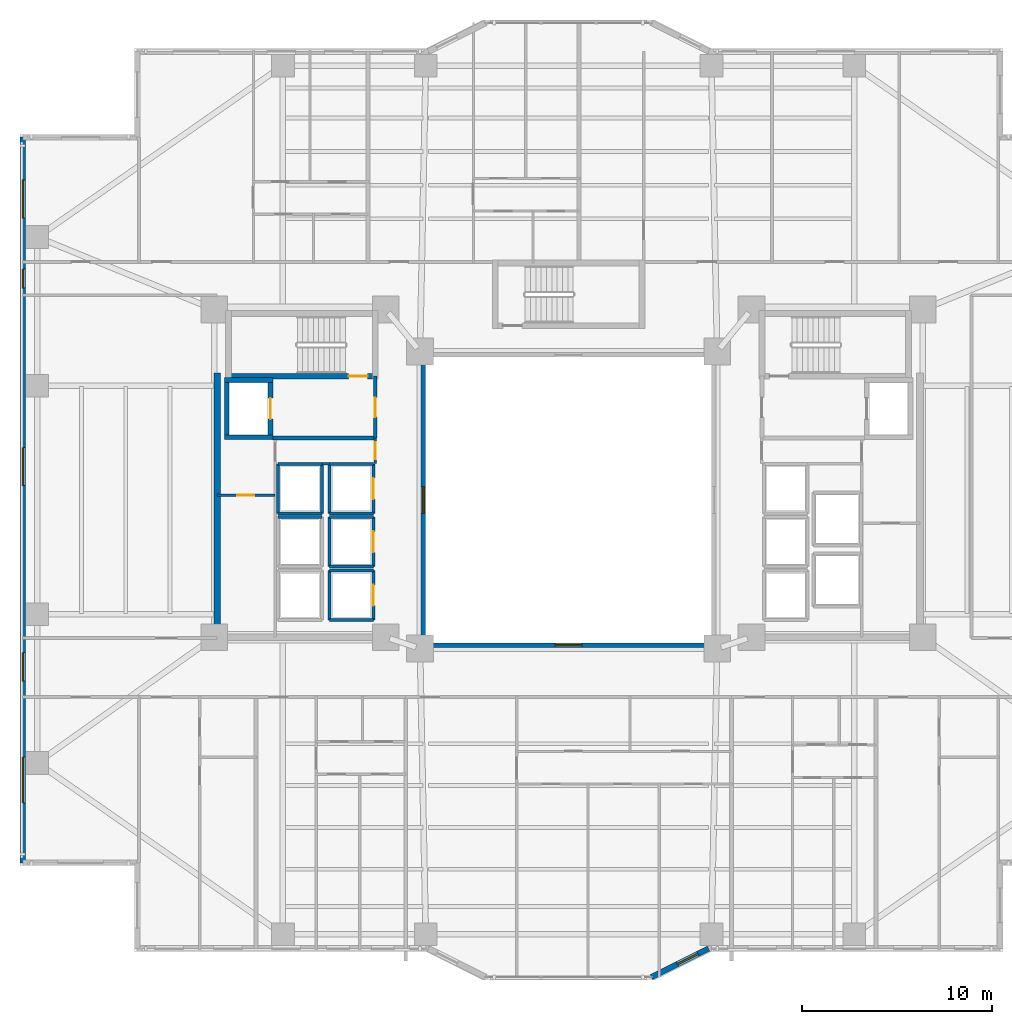
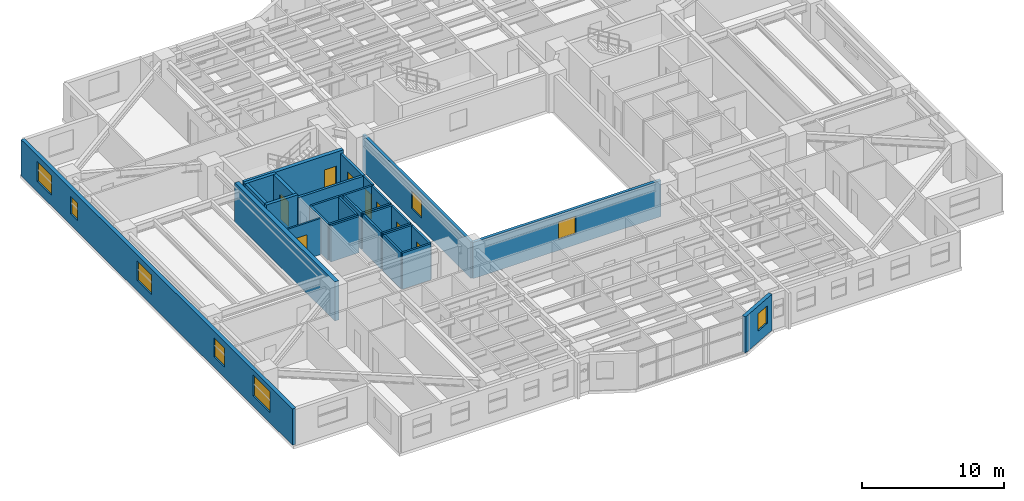
# One storey, part 11 of 21: 32 walls, 8 doors, 8 windows, 16 openings.
"""IFC4 building model written with IfcOpenShell, lengths in metres."""

from ifc_helpers import new_model, si_unit, direction, frame, frame_2d, origin, place, context, subcontext, project, spatial, rectangle, extrude, material, layer, layer_set, type_object, element, fill, save


model = new_model("IFC4")

# Units and contexts
model_context = context("Model", 3, precision=1e-05, world=origin(), true_north=direction((0.0, 1.0)))
body_context = subcontext(model_context, "Body", "Model", "MODEL_VIEW")
ifc_project = project(units=[si_unit("LENGTHUNIT", "METRE"), si_unit("AREAUNIT", "SQUARE_METRE"), si_unit("VOLUMEUNIT", "CUBIC_METRE"), si_unit("PLANEANGLEUNIT", "RADIAN"), si_unit("MASSUNIT", "GRAM", prefix="KILO")], contexts=[model_context])

# Site, building, storey
site_placement = place(None, origin())
site = spatial("IfcSite", under=ifc_project, at=site_placement, CompositionType="ELEMENT")
building_placement = place(site_placement, origin())
building = spatial("IfcBuilding", under=site, at=building_placement, Name="Tarnavaz Court Tower", CompositionType="ELEMENT")
storey_placement = place(building_placement, frame((0.0, 0.0, 37.39990234375)))
storey = spatial("IfcBuildingStorey", under=building, at=storey_placement, Name="L09", CompositionType="ELEMENT", Elevation=37.39990234375)

# Wall
ifc_material_1 = material(Name="Concrete C60/75", Category="concrete")
ifc_layer_1 = layer(ifc_material_1, 0.25)
ifc_layer_set_1 = layer_set([ifc_layer_1], Name="Concrete C60/75")
wall_type_1 = type_object("IfcWallType", Name="WL-CORE-250-C60", PredefinedType="SHEAR", material=ifc_layer_set_1)
wall_1_placement = place(storey_placement, frame((-17.949951171875, 3.175048828125, 0.0), z_axis=(0.0, 0.0, 1.0), x_axis=(0.0, 1.0, 0.0)))
element("IfcWall", 1, at=wall_1_placement, inside=storey, type_object=wall_type_1, Name="L09 Lift FL-W1 Shaft Wall 017", PredefinedType="SHEAR", context=body_context, shape_type="SweptSolid", body=[
    extrude(rectangle(XDim=3.25, YDim=0.25, at=frame_2d((1.625, 0.0))), origin(), (0.0, 0.0, 1.0), 3.35009765625),
])

# Wall, opening, door
wall_2_placement = place(storey_placement, frame((-15.64990234375, 3.175048828125, 0.0), z_axis=(0.0, 0.0, 1.0), x_axis=(0.0, 1.0, 0.0)))
wall_2 = element("IfcWall", 2, at=wall_2_placement, inside=storey, type_object=wall_type_1, Name="L09 Lift FL-W1 Shaft Wall 018", PredefinedType="SHEAR", context=body_context, shape_type="SweptSolid", body=[
    extrude(rectangle(XDim=3.25, YDim=0.25, at=frame_2d((1.625, 0.0))), origin(), (0.0, 0.0, 1.0), 3.35009765625),
])
opening_1_placement = place(wall_2_placement, frame((1.074951171875, 0.0, 0.0)))
opening_1 = element("IfcOpeningElement", 3, at=opening_1_placement, cuts=wall_2, Name="Opening LD1", PredefinedType="OPENING", context=body_context, shape_type="SweptSolid", body=[
    extrude(rectangle(XDim=1.10009765625, YDim=2.14990234375, at=frame_2d((0.550048828125, 1.074951171875))), frame((0.0, 0.135009765625, 0.0), z_axis=(0.0, -1.0, 0.0), x_axis=(1.0, 0.0, 0.0)), (0.0, 0.0, 1.0), 0.27001953125),
])
ifc_material_2 = material(Name="Stainless Steel", Category="steel")
door_type_1 = type_object("IfcDoorType", Name="DR-LD-1100", OperationType="NOTDEFINED", PredefinedType="DOOR", material=ifc_material_2)
door_1_placement = place(opening_1_placement, origin())
door_1 = element("IfcDoor", 4, at=door_1_placement, inside=storey, type_object=door_type_1, Name="L09 Lift Landing Door LD-FL-W1", OperationType="SLIDING_TO_LEFT", OverallHeight=2.14990234375, OverallWidth=1.10009765625, PredefinedType="DOOR", context=body_context, shape_type="SweptSolid", body=[
    extrude(rectangle(XDim=1.10009765625, YDim=2.14990234375, at=frame_2d((0.550048828125, 1.074951171875))), frame((0.0, 0.02490234375, 0.0), z_axis=(0.0, -1.0, 0.0), x_axis=(1.0, 0.0, 0.0)), (0.0, 0.0, 1.0), 0.050048828125),
])
fill(opening_1, door_1)

# Walls
for number, where, z_axis, x_axis, name in (
    (5, (-18.074951171875, 3.300048828125, 0.0), (0.0, 0.0, 1.0), (1.0, 0.0, 0.0), "L09 Lift FL-W1 Shaft Wall 019"),
    (6, (-18.074951171875, 6.300048828125, 0.0), (0.0, 0.0, 1.0), (1.0, 0.0, 0.0), "L09 Lift FL-W1 Shaft Wall 020"),
):
    element("IfcWall", number, at=place(storey_placement, frame(where, z_axis=z_axis, x_axis=x_axis)), inside=storey, type_object=wall_type_1, Name=name, PredefinedType="SHEAR", context=body_context, shape_type="SweptSolid", body=[
        extrude(rectangle(XDim=2.550048828125, YDim=0.25, at=frame_2d((1.27490234375, 0.0))), origin(), (0.0, 0.0, 1.0), 3.35009765625),
    ])

# Wall, opening, door
ifc_layer_2 = layer(ifc_material_1, 0.300048828125)
ifc_layer_set_2 = layer_set([ifc_layer_2], Name="Concrete C60/75")
wall_type_2 = type_object("IfcWallType", Name="WL-CORE-300-C60", PredefinedType="SHEAR", material=ifc_layer_set_2)
wall_3_placement = place(storey_placement, frame((-18.0, 6.5, 0.0), z_axis=(0.0, 0.0, 1.0), x_axis=(1.0, 0.0, 0.0)))
wall_3 = element("IfcWall", 7, at=wall_3_placement, inside=storey, type_object=wall_type_2, Name="L09 West Stair Core Wall 002", PredefinedType="SHEAR", context=body_context, shape_type="SweptSolid", body=[
    extrude(rectangle(XDim=8.0, YDim=0.300048828125, at=frame_2d((4.0, 0.0))), origin(), (0.0, 0.0, 1.0), 3.35009765625),
])
opening_2_placement = place(wall_3_placement, frame((6.449951171875, 0.0, 0.0)))
opening_2 = element("IfcOpeningElement", 8, at=opening_2_placement, cuts=wall_3, Name="Opening D01", PredefinedType="OPENING", context=body_context, shape_type="SweptSolid", body=[
    extrude(rectangle(XDim=1.0, YDim=2.14990234375, at=frame_2d((0.5, 1.074951171875))), frame((0.0, 0.159912109375, 0.0), z_axis=(0.0, -1.0, 0.0), x_axis=(1.0, 0.0, 0.0)), (0.0, 0.0, 1.0), 0.320068359375),
])
ifc_material_3 = material(Name="Fire-Rated Hardwood Timber Core", Category="wood")
door_type_2 = type_object("IfcDoorType", Name="DR-FD90-1000", OperationType="NOTDEFINED", PredefinedType="DOOR", material=ifc_material_3)
door_2_placement = place(opening_2_placement, origin())
door_2 = element("IfcDoor", 9, at=door_2_placement, inside=storey, type_object=door_type_2, Name="L09 Stair ST-W1 Exit Door", OperationType="SINGLE_SWING_LEFT", OverallHeight=2.14990234375, OverallWidth=1.0, PredefinedType="DOOR", context=body_context, shape_type="SweptSolid", body=[
    extrude(rectangle(XDim=1.0, YDim=2.14990234375, at=frame_2d((0.5, 1.074951171875))), frame((0.0, 0.02490234375, 0.0), z_axis=(0.0, -1.0, 0.0), x_axis=(1.0, 0.0, 0.0)), (0.0, 0.0, 1.0), 0.050048828125),
])
fill(opening_2, door_2)

# Wall
ifc_layer_3 = layer(ifc_material_1, 0.35009765625)
ifc_layer_set_3 = layer_set([ifc_layer_3], Name="Concrete C60/75")
wall_type_3 = type_object("IfcWallType", Name="WL-CORE-350-C60", PredefinedType="SHEAR", material=ifc_layer_set_3)
wall_4_placement = place(storey_placement, frame((-18.449951171875, -7.375, 0.0), z_axis=(0.0, 0.0, 1.0), x_axis=(0.0, 1.0, 0.0)))
element("IfcWall", 10, at=wall_4_placement, inside=storey, type_object=wall_type_3, Name="L09 West Core Shear Wall 069", PredefinedType="SHEAR", context=body_context, shape_type="SweptSolid", body=[
    extrude(rectangle(XDim=14.050048828125, YDim=0.35009765625, at=frame_2d((7.02490234375, 0.0))), origin(), (0.0, 0.0, 1.0), 3.35009765625),
])

# Wall, openings, windows
ifc_material_4 = material(Name="Precast Concrete C40/50", Category="concrete")
ifc_layer_4 = layer(ifc_material_4, 0.300048828125)
ifc_layer_set_4 = layer_set([ifc_layer_4], Name="Precast Concrete C40/50")
wall_type_4 = type_object("IfcWallType", Name="WL-EXT-300", PredefinedType="SOLIDWALL", material=ifc_layer_set_4)
wall_5_placement = place(storey_placement, frame((-28.64990234375, -19.050048828125, 0.0), z_axis=(0.0, 0.0, 1.0), x_axis=(0.0, 1.0, 0.0)))
wall_5 = element("IfcWall", 11, at=wall_5_placement, inside=storey, type_object=wall_type_4, Name="L09 Exterior Terracotta Facade Wall 02", PredefinedType="SOLIDWALL", context=body_context, shape_type="SweptSolid", body=[
    extrude(rectangle(XDim=38.10009765625, YDim=0.300048828125, at=frame_2d((19.050048828125, 0.0))), origin(), (0.0, 0.0, 1.0), 3.10009765625),
])
opening_3_placement = place(wall_5_placement, frame((3.14990234375, 0.0, 0.89990234375)))
opening_3 = element("IfcOpeningElement", 12, at=opening_3_placement, cuts=wall_5, Name="Opening W06", PredefinedType="OPENING", context=body_context, shape_type="SweptSolid", body=[
    extrude(rectangle(XDim=2.39990234375, YDim=1.800048828125, at=frame_2d((1.199951171875, 0.89990234375))), frame((0.0, 0.159912109375, 0.0), z_axis=(0.0, -1.0, 0.0), x_axis=(1.0, 0.0, 0.0)), (0.0, 0.0, 1.0), 0.320068359375),
])
opening_4_placement = place(wall_5_placement, frame((9.54248046875, 0.0, 0.89990234375)))
opening_4 = element("IfcOpeningElement", 13, at=opening_4_placement, cuts=wall_5, Name="Opening W03", PredefinedType="OPENING", context=body_context, shape_type="SweptSolid", body=[
    extrude(rectangle(XDim=1.5, YDim=1.64990234375, at=frame_2d((0.75, 0.824951171875))), frame((0.0, 0.159912109375, 0.0), z_axis=(0.0, -1.0, 0.0), x_axis=(1.0, 0.0, 0.0)), (0.0, 0.0, 1.0), 0.320068359375),
])
opening_5_placement = place(wall_5_placement, frame((19.800048828125, 0.0, 0.89990234375)))
opening_5 = element("IfcOpeningElement", 14, at=opening_5_placement, cuts=wall_5, Name="Opening W08", PredefinedType="OPENING", context=body_context, shape_type="SweptSolid", body=[
    extrude(rectangle(XDim=2.0, YDim=1.699951171875, at=frame_2d((1.0, 0.85009765625))), frame((0.0, 0.159912109375, 0.0), z_axis=(0.0, -1.0, 0.0), x_axis=(1.0, 0.0, 0.0)), (0.0, 0.0, 1.0), 0.320068359375),
])
opening_6_placement = place(wall_5_placement, frame((30.175048828125, 0.0, 0.949951171875)))
opening_6 = element("IfcOpeningElement", 15, at=opening_6_placement, cuts=wall_5, Name="Opening W14", PredefinedType="OPENING", context=body_context, shape_type="SweptSolid", body=[
    extrude(rectangle(XDim=1.0, YDim=1.5, at=frame_2d((0.5, 0.75))), frame((0.0, 0.159912109375, 0.0), z_axis=(0.0, -1.0, 0.0), x_axis=(1.0, 0.0, 0.0)), (0.0, 0.0, 1.0), 0.320068359375),
])
opening_7_placement = place(wall_5_placement, frame((33.85009765625, 0.0, 0.89990234375)))
opening_7 = element("IfcOpeningElement", 16, at=opening_7_placement, cuts=wall_5, Name="Opening W08", PredefinedType="OPENING", context=body_context, shape_type="SweptSolid", body=[
    extrude(rectangle(XDim=2.0, YDim=1.699951171875, at=frame_2d((1.0, 0.85009765625))), frame((0.0, 0.159912109375, 0.0), z_axis=(0.0, -1.0, 0.0), x_axis=(1.0, 0.0, 0.0)), (0.0, 0.0, 1.0), 0.320068359375),
])
ifc_material_5 = material(Name="Double-Glazed Solar Low-E Glass", Category="glass")
window_type_1 = type_object("IfcWindowType", Name="WN-APT-1000", PartitioningType="SINGLE_PANEL", PredefinedType="WINDOW", material=ifc_material_5)
window_1_placement = place(opening_6_placement, origin())
window_1 = element("IfcWindow", 17, at=window_1_placement, inside=storey, type_object=window_type_1, Name="L09 North-West Corner Corridor Window", OverallHeight=1.5, OverallWidth=1.0, PartitioningType="SINGLE_PANEL", PredefinedType="WINDOW", context=body_context, shape_type="SweptSolid", body=[
    extrude(rectangle(XDim=1.0, YDim=1.5, at=frame_2d((0.5, 0.75))), frame((0.0, 0.030029296875, 0.0), z_axis=(0.0, -1.0, 0.0), x_axis=(1.0, 0.0, 0.0)), (0.0, 0.0, 1.0), 0.06005859375),
])
fill(opening_6, window_1)
window_type_2 = type_object("IfcWindowType", Name="WN-APT-1500", PartitioningType="DOUBLE_PANEL_VERTICAL", PredefinedType="WINDOW", material=ifc_material_5)
window_2_placement = place(opening_4_placement, origin())
window_2 = element("IfcWindow", 18, at=window_2_placement, inside=storey, type_object=window_type_2, Name="L09 South-West Corner Corridor Window", OverallHeight=1.64990234375, OverallWidth=1.5, PartitioningType="SINGLE_PANEL", PredefinedType="WINDOW", context=body_context, shape_type="SweptSolid", body=[
    extrude(rectangle(XDim=1.5, YDim=1.64990234375, at=frame_2d((0.75, 0.824951171875))), frame((0.0, 0.030029296875, 0.0), z_axis=(0.0, -1.0, 0.0), x_axis=(1.0, 0.0, 0.0)), (0.0, 0.0, 1.0), 0.06005859375),
])
fill(opening_4, window_2)
window_type_3 = type_object("IfcWindowType", Name="WN-APT-2000", PartitioningType="DOUBLE_PANEL_VERTICAL", PredefinedType="WINDOW", material=ifc_material_5)
window_3_placement = place(opening_5_placement, origin())
window_3 = element("IfcWindow", 19, at=window_3_placement, inside=storey, type_object=window_type_3, Name="L09 West Wing Community Meeting Lounge Window", OverallHeight=1.699951171875, OverallWidth=2.0, PartitioningType="SINGLE_PANEL", PredefinedType="WINDOW", context=body_context, shape_type="SweptSolid", body=[
    extrude(rectangle(XDim=2.0, YDim=1.699951171875, at=frame_2d((1.0, 0.85009765625))), frame((0.0, 0.030029296875, 0.0), z_axis=(0.0, -1.0, 0.0), x_axis=(1.0, 0.0, 0.0)), (0.0, 0.0, 1.0), 0.06005859375),
])
fill(opening_5, window_3)
window_4_placement = place(opening_7_placement, origin())
window_4 = element("IfcWindow", 20, at=window_4_placement, inside=storey, type_object=window_type_3, Name="L09 North-West Corner Sunroom Study Window", OverallHeight=1.699951171875, OverallWidth=2.0, PartitioningType="SINGLE_PANEL", PredefinedType="WINDOW", context=body_context, shape_type="SweptSolid", body=[
    extrude(rectangle(XDim=2.0, YDim=1.699951171875, at=frame_2d((1.0, 0.85009765625))), frame((0.0, 0.030029296875, 0.0), z_axis=(0.0, -1.0, 0.0), x_axis=(1.0, 0.0, 0.0)), (0.0, 0.0, 1.0), 0.06005859375),
])
fill(opening_7, window_4)
window_type_4 = type_object("IfcWindowType", Name="WN-APT-2400", PartitioningType="TRIPLE_PANEL_VERTICAL", PredefinedType="WINDOW", material=ifc_material_5)
window_5_placement = place(opening_3_placement, origin())
window_5 = element("IfcWindow", 21, at=window_5_placement, inside=storey, type_object=window_type_4, Name="L09 South-West Corner Reading Room Window", OverallHeight=1.800048828125, OverallWidth=2.39990234375, PartitioningType="SINGLE_PANEL", PredefinedType="WINDOW", context=body_context, shape_type="SweptSolid", body=[
    extrude(rectangle(XDim=2.39990234375, YDim=1.800048828125, at=frame_2d((1.199951171875, 0.89990234375))), frame((0.0, 0.030029296875, 0.0), z_axis=(0.0, -1.0, 0.0), x_axis=(1.0, 0.0, 0.0)), (0.0, 0.0, 1.0), 0.06005859375),
])
fill(opening_3, window_5)

# Wall, opening, window
wall_6_placement = place(storey_placement, frame((7.35009765625, -23.550048828125, 0.0), z_axis=(0.0, 0.0, 1.0), x_axis=(-0.894427191, -0.4472135955, 0.0)))
wall_6 = element("IfcWall", 22, at=wall_6_placement, inside=storey, type_object=wall_type_4, Name="L09 Exterior Terracotta Facade Wall 16", PredefinedType="SOLIDWALL", context=body_context, shape_type="SweptSolid", body=[
    extrude(rectangle(XDim=3.35400390625, YDim=0.300048828125, at=frame_2d((1.677001953125, 0.0))), origin(), (0.0, 0.0, 1.0), 3.10009765625),
])
opening_8_placement = place(wall_6_placement, frame((0.62158203125, 0.0, 0.949951171875)))
opening_8 = element("IfcOpeningElement", 23, at=opening_8_placement, cuts=wall_6, Name="Opening W05", PredefinedType="OPENING", context=body_context, shape_type="SweptSolid", body=[
    extrude(rectangle(XDim=1.199951171875, YDim=1.5, at=frame_2d((0.60009765625, 0.75))), frame((0.0, 0.159912109375, 0.0), z_axis=(0.0, -1.0, 0.0), x_axis=(1.0, 0.0, 0.0)), (0.0, 0.0, 1.0), 0.320068359375),
])
window_type_5 = type_object("IfcWindowType", Name="WN-APT-1200", PartitioningType="SINGLE_PANEL", PredefinedType="WINDOW", material=ifc_material_5)
window_6_placement = place(opening_8_placement, origin())
window_6 = element("IfcWindow", 24, at=window_6_placement, inside=storey, type_object=window_type_5, Name="L09 Flat 07 Bedroom 3 Window", OverallHeight=1.5, OverallWidth=1.199951171875, PartitioningType="SINGLE_PANEL", PredefinedType="WINDOW", context=body_context, shape_type="SweptSolid", body=[
    extrude(rectangle(XDim=1.199951171875, YDim=1.5, at=frame_2d((0.60009765625, 0.75))), frame((0.0, 0.030029296875, 0.0), z_axis=(0.0, -1.0, 0.0), x_axis=(1.0, 0.0, 0.0)), (0.0, 0.0, 1.0), 0.06005859375),
])
fill(opening_8, window_6)

# Wall
ifc_material_6 = material(Name="Autoclaved Aerated Concrete Blockwork", Category="masonry")
ifc_layer_5 = layer(ifc_material_6, 0.199951171875)
ifc_layer_set_5 = layer_set([ifc_layer_5], Name="Autoclaved Aerated Concrete Blockwork")
wall_type_5 = type_object("IfcWallType", Name="WL-FIRE-200", PredefinedType="SOLIDWALL", material=ifc_layer_set_5)
wall_7_placement = place(storey_placement, frame((-15.550048828125, 3.25, 0.0), z_axis=(0.0, 0.0, 1.0), x_axis=(1.0, 0.0, 0.0)))
element("IfcWall", 25, at=wall_7_placement, inside=storey, type_object=wall_type_5, Name="L09 West Firefighting Lobby Wall 013", PredefinedType="SOLIDWALL", context=body_context, shape_type="SweptSolid", body=[
    extrude(rectangle(XDim=5.400146484375, YDim=0.199951171875, at=frame_2d((2.7001953125, 0.0))), origin(), (0.0, 0.0, 1.0), 3.10009765625),
])

# Wall, opening, door
wall_8_placement = place(storey_placement, frame((-10.14990234375, 3.25, 0.0), z_axis=(0.0, 0.0, 1.0), x_axis=(0.0, 1.0, 0.0)))
wall_8 = element("IfcWall", 26, at=wall_8_placement, inside=storey, type_object=wall_type_5, Name="L09 West Firefighting Lobby Wall 014", PredefinedType="SOLIDWALL", context=body_context, shape_type="SweptSolid", body=[
    extrude(rectangle(XDim=3.25, YDim=0.199951171875, at=frame_2d((1.625, 0.0))), origin(), (0.0, 0.0, 1.0), 3.10009765625),
])
opening_9_placement = place(wall_8_placement, frame((1.10009765625, 0.0, 0.0)))
opening_9 = element("IfcOpeningElement", 27, at=opening_9_placement, cuts=wall_8, Name="Opening D05", PredefinedType="OPENING", context=body_context, shape_type="SweptSolid", body=[
    extrude(rectangle(XDim=1.02001953125, YDim=2.14990234375, at=frame_2d((0.510009765625, 1.074951171875))), frame((0.0, 0.10986328125, 0.0), z_axis=(0.0, -1.0, 0.0), x_axis=(1.0, 0.0, 0.0)), (0.0, 0.0, 1.0), 0.219970703125),
])
door_type_3 = type_object("IfcDoorType", Name="DR-FD60-1000", OperationType="NOTDEFINED", PredefinedType="DOOR", material=ifc_material_3)
door_3_placement = place(opening_9_placement, origin())
door_3 = element("IfcDoor", 28, at=door_3_placement, inside=storey, type_object=door_type_3, Name="L09 West Firefighting Lobby Door", OperationType="SINGLE_SWING_RIGHT", OverallHeight=2.14990234375, OverallWidth=1.02001953125, PredefinedType="DOOR", context=body_context, shape_type="SweptSolid", body=[
    extrude(rectangle(XDim=1.02001953125, YDim=2.14990234375, at=frame_2d((0.510009765625, 1.074951171875))), frame((0.0, 0.02490234375, 0.0), z_axis=(0.0, -1.0, 0.0), x_axis=(1.0, 0.0, 0.0)), (0.0, 0.0, 1.0), 0.050048828125),
])
fill(opening_9, door_3)

# Wall
ifc_material_7 = material(Name="Gypsum Plasterboard Acoustic Partition", Category="masonry")
ifc_layer_6 = layer(ifc_material_7, 0.139892578125)
ifc_layer_set_6 = layer_set([ifc_layer_6], Name="Gypsum Plasterboard Acoustic Partition")
wall_type_6 = type_object("IfcWallType", Name="WL-PART-150", PredefinedType="PARTITIONING", material=ifc_layer_set_6)
wall_9_placement = place(storey_placement, frame((-12.949951171875, 1.89990234375, 0.0), z_axis=(0.0, 0.0, 1.0), x_axis=(1.0, 0.0, 0.0)))
element("IfcWall", 29, at=wall_9_placement, inside=storey, type_object=wall_type_6, Name="L09 Interior Partition 073", PredefinedType="PARTITIONING", context=body_context, shape_type="SweptSolid", body=[
    extrude(rectangle(XDim=0.39990234375, YDim=0.139892578125, at=frame_2d((0.199951171875, 0.0))), origin(), (0.0, 0.0, 1.0), 3.10009765625),
])

# Wall, opening, door
wall_10_placement = place(storey_placement, frame((-10.14990234375, 1.919921875, 0.0), z_axis=(0.0, 0.0, 1.0), x_axis=(0.0, 1.0, 0.0)))
wall_10 = element("IfcWall", 30, at=wall_10_placement, inside=storey, type_object=wall_type_6, Name="L09 Interior Partition 074", PredefinedType="PARTITIONING", context=body_context, shape_type="SweptSolid", body=[
    extrude(rectangle(XDim=1.330078125, YDim=0.139892578125, at=frame_2d((0.6650390625, 0.0))), origin(), (0.0, 0.0, 1.0), 3.10009765625),
])
opening_10_placement = place(wall_10_placement, frame((0.219970703125, 0.0, 0.0)))
opening_10 = element("IfcOpeningElement", 31, at=opening_10_placement, cuts=wall_10, Name="Opening D09", PredefinedType="OPENING", context=body_context, shape_type="SweptSolid", body=[
    extrude(rectangle(XDim=0.89990234375, YDim=2.080078125, at=frame_2d((0.449951171875, 1.0400390625))), frame((0.0, 0.079833984375, 0.0), z_axis=(0.0, -1.0, 0.0), x_axis=(1.0, 0.0, 0.0)), (0.0, 0.0, 1.0), 0.159912109375),
])
door_type_4 = type_object("IfcDoorType", Name="DR-FD30-900", OperationType="NOTDEFINED", PredefinedType="DOOR", material=ifc_material_3)
door_4_placement = place(opening_10_placement, origin())
door_4 = element("IfcDoor", 32, at=door_4_placement, inside=storey, type_object=door_type_4, Name="L09 West Core Service Lobby Door", OperationType="SINGLE_SWING_LEFT", OverallHeight=2.080078125, OverallWidth=0.89990234375, PredefinedType="DOOR", context=body_context, shape_type="SweptSolid", body=[
    extrude(rectangle(XDim=0.89990234375, YDim=2.080078125, at=frame_2d((0.449951171875, 1.0400390625))), frame((0.0, 0.02490234375, 0.0), z_axis=(0.0, -1.0, 0.0), x_axis=(1.0, 0.0, 0.0)), (0.0, 0.0, 1.0), 0.050048828125),
])
fill(opening_10, door_4)

wall_11_placement = place(storey_placement, frame((-18.449951171875, 0.25, 0.0), z_axis=(0.0, 0.0, 1.0), x_axis=(1.0, 0.0, 0.0)))
wall_11 = element("IfcWall", 33, at=wall_11_placement, inside=storey, type_object=wall_type_6, Name="L09 Interior Partition 076", PredefinedType="PARTITIONING", context=body_context, shape_type="SweptSolid", body=[
    extrude(rectangle(XDim=3.050048828125, YDim=0.139892578125, at=frame_2d((1.52490234375, 0.0))), origin(), (0.0, 0.0, 1.0), 3.10009765625),
])
opening_11_placement = place(wall_11_placement, frame((1.050048828125, 0.0, 0.0)))
opening_11 = element("IfcOpeningElement", 34, at=opening_11_placement, cuts=wall_11, Name="Opening D09", PredefinedType="OPENING", context=body_context, shape_type="SweptSolid", body=[
    extrude(rectangle(XDim=0.89990234375, YDim=2.080078125, at=frame_2d((0.449951171875, 1.0400390625))), frame((0.0, 0.079833984375, 0.0), z_axis=(0.0, -1.0, 0.0), x_axis=(1.0, 0.0, 0.0)), (0.0, 0.0, 1.0), 0.159912109375),
])
door_5_placement = place(opening_11_placement, origin())
door_5 = element("IfcDoor", 35, at=door_5_placement, inside=storey, type_object=door_type_4, Name="L09 West Mechanical Riser Door", OperationType="SINGLE_SWING_LEFT", OverallHeight=2.080078125, OverallWidth=0.89990234375, PredefinedType="DOOR", context=body_context, shape_type="SweptSolid", body=[
    extrude(rectangle(XDim=0.89990234375, YDim=2.080078125, at=frame_2d((0.449951171875, 1.0400390625))), frame((0.0, 0.02490234375, 0.0), z_axis=(0.0, -1.0, 0.0), x_axis=(1.0, 0.0, 0.0)), (0.0, 0.0, 1.0), 0.050048828125),
])
fill(opening_11, door_5)

# Wall
ifc_layer_7 = layer(ifc_material_6, 0.159912109375)
ifc_layer_set_7 = layer_set([ifc_layer_7], Name="Autoclaved Aerated Concrete Blockwork")
wall_type_7 = type_object("IfcWallType", Name="WL-SHAFT-150", PredefinedType="SOLIDWALL", material=ifc_layer_set_7)
wall_12_placement = place(storey_placement, frame((-12.550048828125, -6.300048828125, 0.0), z_axis=(0.0, 0.0, 1.0), x_axis=(0.0, 1.0, 0.0)))
element("IfcWall", 36, at=wall_12_placement, inside=storey, type_object=wall_type_7, Name="L09 Lift PL-L1 Shaft Wall 021", PredefinedType="SOLIDWALL", context=body_context, shape_type="SweptSolid", body=[
    extrude(rectangle(XDim=2.60009765625, YDim=0.159912109375, at=frame_2d((1.300048828125, 0.0))), origin(), (0.0, 0.0, 1.0), 3.10009765625),
])

# Wall, opening, door
wall_13_placement = place(storey_placement, frame((-10.25, -6.300048828125, 0.0), z_axis=(0.0, 0.0, 1.0), x_axis=(0.0, 1.0, 0.0)))
wall_13 = element("IfcWall", 37, at=wall_13_placement, inside=storey, type_object=wall_type_7, Name="L09 Lift PL-L1 Shaft Wall 022", PredefinedType="SOLIDWALL", context=body_context, shape_type="SweptSolid", body=[
    extrude(rectangle(XDim=2.60009765625, YDim=0.159912109375, at=frame_2d((1.300048828125, 0.0))), origin(), (0.0, 0.0, 1.0), 3.10009765625),
])
opening_12_placement = place(wall_13_placement, frame((0.75, 0.0, 0.0)))
opening_12 = element("IfcOpeningElement", 38, at=opening_12_placement, cuts=wall_13, Name="Opening LD1", PredefinedType="OPENING", context=body_context, shape_type="SweptSolid", body=[
    extrude(rectangle(XDim=1.10009765625, YDim=2.14990234375, at=frame_2d((0.550048828125, 1.074951171875))), frame((0.0, 0.08984375, 0.0), z_axis=(0.0, -1.0, 0.0), x_axis=(1.0, 0.0, 0.0)), (0.0, 0.0, 1.0), 0.179931640625),
])
door_6_placement = place(opening_12_placement, origin())
door_6 = element("IfcDoor", 39, at=door_6_placement, inside=storey, type_object=door_type_1, Name="L09 Lift Landing Door LD-PL-L1", OperationType="SLIDING_TO_LEFT", OverallHeight=2.14990234375, OverallWidth=1.10009765625, PredefinedType="DOOR", context=body_context, shape_type="SweptSolid", body=[
    extrude(rectangle(XDim=1.10009765625, YDim=2.14990234375, at=frame_2d((0.550048828125, 1.074951171875))), frame((0.0, 0.02490234375, 0.0), z_axis=(0.0, -1.0, 0.0), x_axis=(1.0, 0.0, 0.0)), (0.0, 0.0, 1.0), 0.050048828125),
])
fill(opening_12, door_6)

# Walls
for number, where, z_axis, x_axis, name in (
    (40, (-12.550048828125, -6.300048828125, 0.0), (0.0, 0.0, 1.0), (1.0, 0.0, 0.0), "L09 Lift PL-L1 Shaft Wall 023"),
    (41, (-12.550048828125, -3.699951171875, 0.0), (0.0, 0.0, 1.0), (1.0, 0.0, 0.0), "L09 Lift PL-L1 Shaft Wall 024"),
):
    element("IfcWall", number, at=place(storey_placement, frame(where, z_axis=z_axis, x_axis=x_axis)), inside=storey, type_object=wall_type_7, Name=name, PredefinedType="SOLIDWALL", context=body_context, shape_type="SweptSolid", body=[
        extrude(rectangle(XDim=2.300048828125, YDim=0.159912109375, at=frame_2d((1.14990234375, 0.0))), origin(), (0.0, 0.0, 1.0), 3.10009765625),
    ])
wall_14_placement = place(storey_placement, frame((-12.550048828125, -3.5, 0.0), z_axis=(0.0, 0.0, 1.0), x_axis=(0.0, 1.0, 0.0)))
element("IfcWall", 42, at=wall_14_placement, inside=storey, type_object=wall_type_7, Name="L09 Lift PL-L2 Shaft Wall 025", PredefinedType="SOLIDWALL", context=body_context, shape_type="SweptSolid", body=[
    extrude(rectangle(XDim=2.60009765625, YDim=0.159912109375, at=frame_2d((1.300048828125, 0.0))), origin(), (0.0, 0.0, 1.0), 3.10009765625),
])

# Wall, opening, door
wall_15_placement = place(storey_placement, frame((-10.25, -3.5, 0.0), z_axis=(0.0, 0.0, 1.0), x_axis=(0.0, 1.0, 0.0)))
wall_15 = element("IfcWall", 43, at=wall_15_placement, inside=storey, type_object=wall_type_7, Name="L09 Lift PL-L2 Shaft Wall 026", PredefinedType="SOLIDWALL", context=body_context, shape_type="SweptSolid", body=[
    extrude(rectangle(XDim=2.60009765625, YDim=0.159912109375, at=frame_2d((1.300048828125, 0.0))), origin(), (0.0, 0.0, 1.0), 3.10009765625),
])
opening_13_placement = place(wall_15_placement, frame((0.75, 0.0, 0.0)))
opening_13 = element("IfcOpeningElement", 44, at=opening_13_placement, cuts=wall_15, Name="Opening LD1", PredefinedType="OPENING", context=body_context, shape_type="SweptSolid", body=[
    extrude(rectangle(XDim=1.10009765625, YDim=2.14990234375, at=frame_2d((0.550048828125, 1.074951171875))), frame((0.0, 0.08984375, 0.0), z_axis=(0.0, -1.0, 0.0), x_axis=(1.0, 0.0, 0.0)), (0.0, 0.0, 1.0), 0.179931640625),
])
door_7_placement = place(opening_13_placement, origin())
door_7 = element("IfcDoor", 45, at=door_7_placement, inside=storey, type_object=door_type_1, Name="L09 Lift Landing Door LD-PL-L2", OperationType="SLIDING_TO_LEFT", OverallHeight=2.14990234375, OverallWidth=1.10009765625, PredefinedType="DOOR", context=body_context, shape_type="SweptSolid", body=[
    extrude(rectangle(XDim=1.10009765625, YDim=2.14990234375, at=frame_2d((0.550048828125, 1.074951171875))), frame((0.0, 0.02490234375, 0.0), z_axis=(0.0, -1.0, 0.0), x_axis=(1.0, 0.0, 0.0)), (0.0, 0.0, 1.0), 0.050048828125),
])
fill(opening_13, door_7)

# Walls
for number, where, z_axis, x_axis, name in (
    (46, (-12.550048828125, -3.5, 0.0), (0.0, 0.0, 1.0), (1.0, 0.0, 0.0), "L09 Lift PL-L2 Shaft Wall 027"),
    (47, (-12.550048828125, -0.89990234375, 0.0), (0.0, 0.0, 1.0), (1.0, 0.0, 0.0), "L09 Lift PL-L2 Shaft Wall 028"),
):
    element("IfcWall", number, at=place(storey_placement, frame(where, z_axis=z_axis, x_axis=x_axis)), inside=storey, type_object=wall_type_7, Name=name, PredefinedType="SOLIDWALL", context=body_context, shape_type="SweptSolid", body=[
        extrude(rectangle(XDim=2.300048828125, YDim=0.159912109375, at=frame_2d((1.14990234375, 0.0))), origin(), (0.0, 0.0, 1.0), 3.10009765625),
    ])
wall_16_placement = place(storey_placement, frame((-12.550048828125, -0.699951171875, 0.0), z_axis=(0.0, 0.0, 1.0), x_axis=(0.0, 1.0, 0.0)))
element("IfcWall", 48, at=wall_16_placement, inside=storey, type_object=wall_type_7, Name="L09 Lift PL-L3 Shaft Wall 029", PredefinedType="SOLIDWALL", context=body_context, shape_type="SweptSolid", body=[
    extrude(rectangle(XDim=2.599853515625, YDim=0.159912109375, at=frame_2d((1.2998046875, 0.0))), origin(), (0.0, 0.0, 1.0), 3.10009765625),
])

# Wall, opening, door
wall_17_placement = place(storey_placement, frame((-10.25, -0.699951171875, 0.0), z_axis=(0.0, 0.0, 1.0), x_axis=(0.0, 1.0, 0.0)))
wall_17 = element("IfcWall", 49, at=wall_17_placement, inside=storey, type_object=wall_type_7, Name="L09 Lift PL-L3 Shaft Wall 030", PredefinedType="SOLIDWALL", context=body_context, shape_type="SweptSolid", body=[
    extrude(rectangle(XDim=2.599853515625, YDim=0.159912109375, at=frame_2d((1.2998046875, 0.0))), origin(), (0.0, 0.0, 1.0), 3.10009765625),
])
opening_14_placement = place(wall_17_placement, frame((0.75, 0.0, 0.0)))
opening_14 = element("IfcOpeningElement", 50, at=opening_14_placement, cuts=wall_17, Name="Opening LD1", PredefinedType="OPENING", context=body_context, shape_type="SweptSolid", body=[
    extrude(rectangle(XDim=1.10009765625, YDim=2.14990234375, at=frame_2d((0.550048828125, 1.074951171875))), frame((0.0, 0.08984375, 0.0), z_axis=(0.0, -1.0, 0.0), x_axis=(1.0, 0.0, 0.0)), (0.0, 0.0, 1.0), 0.179931640625),
])
door_8_placement = place(opening_14_placement, origin())
door_8 = element("IfcDoor", 51, at=door_8_placement, inside=storey, type_object=door_type_1, Name="L09 Lift Landing Door LD-PL-L3", OperationType="SLIDING_TO_LEFT", OverallHeight=2.14990234375, OverallWidth=1.10009765625, PredefinedType="DOOR", context=body_context, shape_type="SweptSolid", body=[
    extrude(rectangle(XDim=1.10009765625, YDim=2.14990234375, at=frame_2d((0.550048828125, 1.074951171875))), frame((0.0, 0.02490234375, 0.0), z_axis=(0.0, -1.0, 0.0), x_axis=(1.0, 0.0, 0.0)), (0.0, 0.0, 1.0), 0.050048828125),
])
fill(opening_14, door_8)

# Walls
for number, where, z_axis, x_axis, name in (
    (52, (-12.550048828125, -0.699951171875, 0.0), (0.0, 0.0, 1.0), (1.0, 0.0, 0.0), "L09 Lift PL-L3 Shaft Wall 031"),
    (53, (-12.550048828125, 1.89990234375, 0.0), (0.0, 0.0, 1.0), (1.0, 0.0, 0.0), "L09 Lift PL-L3 Shaft Wall 032"),
    (54, (-15.25, -0.89990234375, 0.0), (0.0, 0.0, 1.0), (1.0, 0.0, 0.0), "L09 Lift PL-H2 Shaft Wall 040"),
):
    element("IfcWall", number, at=place(storey_placement, frame(where, z_axis=z_axis, x_axis=x_axis)), inside=storey, type_object=wall_type_7, Name=name, PredefinedType="SOLIDWALL", context=body_context, shape_type="SweptSolid", body=[
        extrude(rectangle(XDim=2.300048828125, YDim=0.159912109375, at=frame_2d((1.14990234375, 0.0))), origin(), (0.0, 0.0, 1.0), 3.10009765625),
    ])
for number, where, z_axis, x_axis, name in (
    (55, (-15.25, -0.699951171875, 0.0), (0.0, 0.0, 1.0), (0.0, 1.0, 0.0), "L09 Lift PL-H3 Shaft Wall 041"),
    (56, (-12.949951171875, -0.699951171875, 0.0), (0.0, 0.0, 1.0), (0.0, 1.0, 0.0), "L09 Lift PL-H3 Shaft Wall 042"),
):
    element("IfcWall", number, at=place(storey_placement, frame(where, z_axis=z_axis, x_axis=x_axis)), inside=storey, type_object=wall_type_7, Name=name, PredefinedType="SOLIDWALL", context=body_context, shape_type="SweptSolid", body=[
        extrude(rectangle(XDim=2.599853515625, YDim=0.159912109375, at=frame_2d((1.2998046875, 0.0))), origin(), (0.0, 0.0, 1.0), 3.10009765625),
    ])
for number, where, z_axis, x_axis, name in (
    (57, (-15.25, -0.699951171875, 0.0), (0.0, 0.0, 1.0), (1.0, 0.0, 0.0), "L09 Lift PL-H3 Shaft Wall 043"),
    (58, (-15.25, 1.89990234375, 0.0), (0.0, 0.0, 1.0), (1.0, 0.0, 0.0), "L09 Lift PL-H3 Shaft Wall 044"),
):
    element("IfcWall", number, at=place(storey_placement, frame(where, z_axis=z_axis, x_axis=x_axis)), inside=storey, type_object=wall_type_7, Name=name, PredefinedType="SOLIDWALL", context=body_context, shape_type="SweptSolid", body=[
        extrude(rectangle(XDim=2.300048828125, YDim=0.159912109375, at=frame_2d((1.14990234375, 0.0))), origin(), (0.0, 0.0, 1.0), 3.10009765625),
    ])

# Wall, opening, window
ifc_layer_8 = layer(ifc_material_4, 0.239990234375)
ifc_layer_set_8 = layer_set([ifc_layer_8], Name="Precast Concrete C40/50")
wall_type_8 = type_object("IfcWallType", Name="WL-WELL-240", PredefinedType="SOLIDWALL", material=ifc_layer_set_8)
wall_18_placement = place(storey_placement, frame((-7.6201171875, -7.6201171875, 0.0), z_axis=(0.0, 0.0, 1.0), x_axis=(1.0, 0.0, 0.0)))
wall_18 = element("IfcWall", 59, at=wall_18_placement, inside=storey, type_object=wall_type_8, Name="L09 Badgir Light-Well Exterior Wall S", PredefinedType="SOLIDWALL", context=body_context, shape_type="SweptSolid", body=[
    extrude(rectangle(XDim=15.240234375, YDim=0.239990234375, at=frame_2d((7.6201171875, 0.0))), origin(), (0.0, 0.0, 1.0), 3.10009765625),
])
opening_15_placement = place(wall_18_placement, frame((6.919921875, 0.0, 0.949951171875)))
opening_15 = element("IfcOpeningElement", 60, at=opening_15_placement, cuts=wall_18, Name="Opening W13", PredefinedType="OPENING", context=body_context, shape_type="SweptSolid", body=[
    extrude(rectangle(XDim=1.39990234375, YDim=1.5, at=frame_2d((0.699951171875, 0.75))), frame((0.0, 0.1298828125, 0.0), z_axis=(0.0, -1.0, 0.0), x_axis=(1.0, 0.0, 0.0)), (0.0, 0.0, 1.0), 0.260009765625),
])
window_type_6 = type_object("IfcWindowType", Name="WN-WEL-1400", PartitioningType="SINGLE_PANEL", PredefinedType="WINDOW", material=ifc_material_5)
window_7_placement = place(opening_15_placement, origin())
window_7 = element("IfcWindow", 61, at=window_7_placement, inside=storey, type_object=window_type_6, Name="L09 Courtyard Gallery Window S", OverallHeight=1.5, OverallWidth=1.39990234375, PartitioningType="SINGLE_PANEL", PredefinedType="WINDOW", context=body_context, shape_type="SweptSolid", body=[
    extrude(rectangle(XDim=1.39990234375, YDim=1.5, at=frame_2d((0.699951171875, 0.75))), frame((0.0, 0.030029296875, 0.0), z_axis=(0.0, -1.0, 0.0), x_axis=(1.0, 0.0, 0.0)), (0.0, 0.0, 1.0), 0.06005859375),
])
fill(opening_15, window_7)

wall_19_placement = place(storey_placement, frame((-7.6201171875, 7.6201171875, 0.0), z_axis=(0.0, 0.0, 1.0), x_axis=(0.0, -1.0, 0.0)))
wall_19 = element("IfcWall", 62, at=wall_19_placement, inside=storey, type_object=wall_type_8, Name="L09 Badgir Light-Well Exterior Wall W", PredefinedType="SOLIDWALL", context=body_context, shape_type="SweptSolid", body=[
    extrude(rectangle(XDim=15.240234375, YDim=0.239990234375, at=frame_2d((7.6201171875, 0.0))), origin(), (0.0, 0.0, 1.0), 3.10009765625),
])
opening_16_placement = place(wall_19_placement, frame((6.919921875, 0.0, 0.949951171875)))
opening_16 = element("IfcOpeningElement", 63, at=opening_16_placement, cuts=wall_19, Name="Opening W13", PredefinedType="OPENING", context=body_context, shape_type="SweptSolid", body=[
    extrude(rectangle(XDim=1.39990234375, YDim=1.5, at=frame_2d((0.699951171875, 0.75))), frame((0.0, 0.1298828125, 0.0), z_axis=(0.0, -1.0, 0.0), x_axis=(1.0, 0.0, 0.0)), (0.0, 0.0, 1.0), 0.260009765625),
])
window_8_placement = place(opening_16_placement, origin())
window_8 = element("IfcWindow", 64, at=window_8_placement, inside=storey, type_object=window_type_6, Name="L09 Courtyard Gallery Window W", OverallHeight=1.5, OverallWidth=1.39990234375, PartitioningType="SINGLE_PANEL", PredefinedType="WINDOW", context=body_context, shape_type="SweptSolid", body=[
    extrude(rectangle(XDim=1.39990234375, YDim=1.5, at=frame_2d((0.699951171875, 0.75))), frame((0.0, 0.030029296875, 0.0), z_axis=(0.0, -1.0, 0.0), x_axis=(1.0, 0.0, 0.0)), (0.0, 0.0, 1.0), 0.06005859375),
])
fill(opening_16, window_8)

save(model, "model.ifc")
